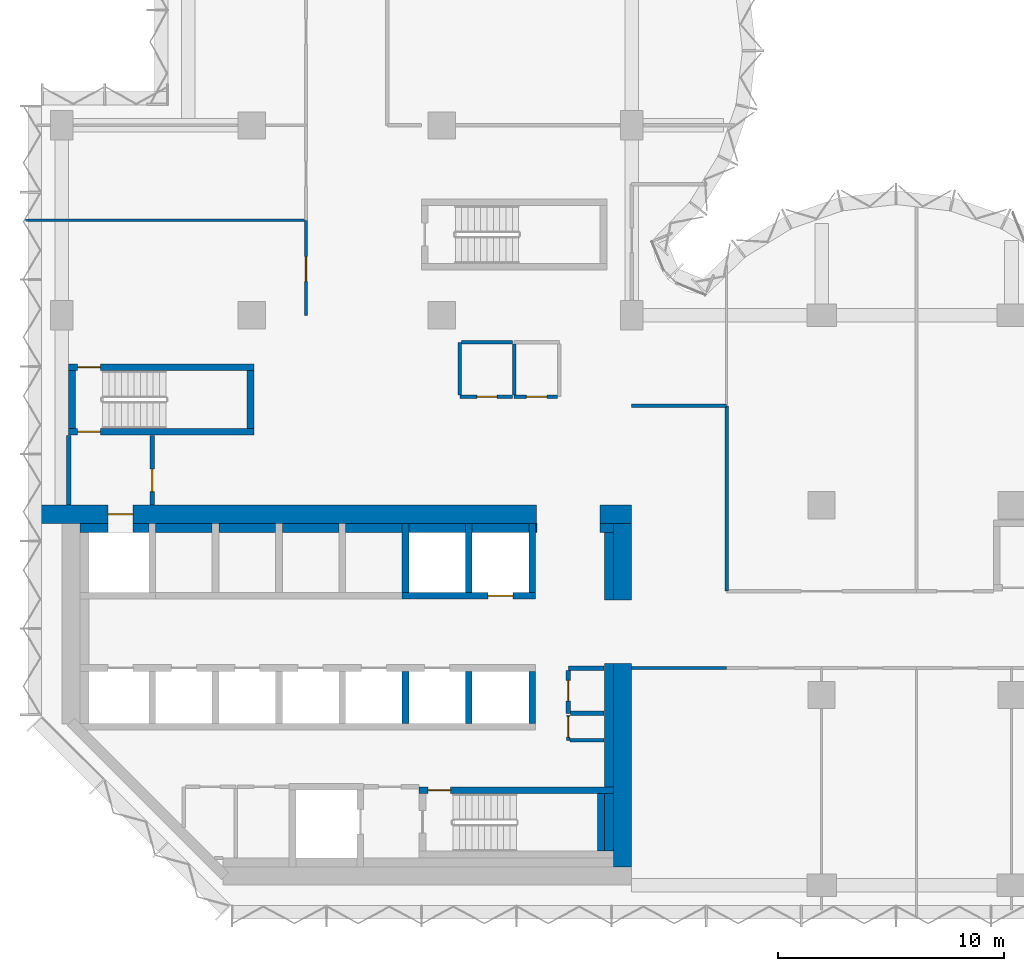
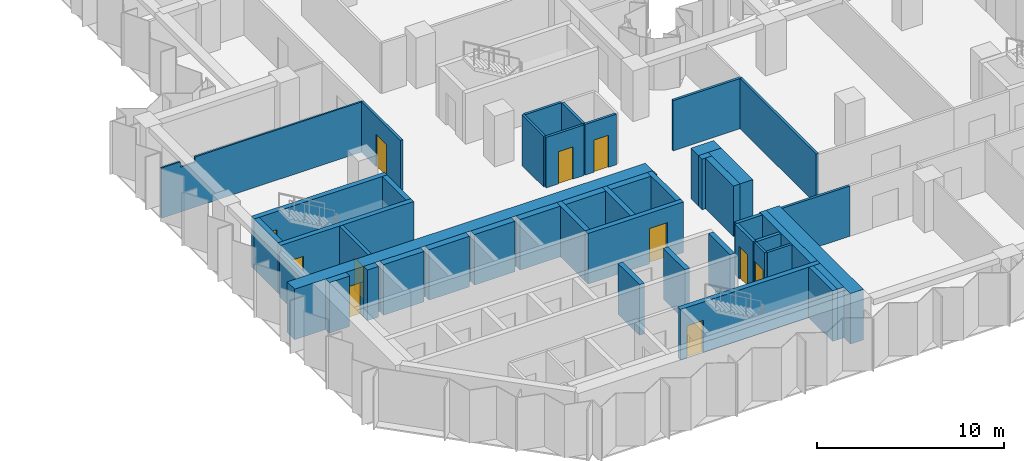
# One storey, part 6 of 11: 47 walls, 11 doors, 11 openings.
"""IFC4 building model written with IfcOpenShell, lengths in metres."""

from ifc_helpers import new_model, si_unit, direction, frame, frame_2d, origin, place, context, subcontext, project, spatial, polyline, rectangle, outline, extrude, material, layer, layer_set, type_object, element, fill, save


model = new_model("IFC4")

# Units and contexts
model_context = context("Model", 3, precision=1e-05, world=origin(), true_north=direction((0.0, 1.0)))
body_context = subcontext(model_context, "Body", "Model", "MODEL_VIEW")
ifc_project = project(units=[si_unit("LENGTHUNIT", "METRE"), si_unit("AREAUNIT", "SQUARE_METRE"), si_unit("VOLUMEUNIT", "CUBIC_METRE"), si_unit("PLANEANGLEUNIT", "RADIAN"), si_unit("MASSUNIT", "GRAM", prefix="KILO")], contexts=[model_context])

# Site, building, storey
site_placement = place(None, origin())
site = spatial("IfcSite", under=ifc_project, at=site_placement, CompositionType="ELEMENT")
building_placement = place(site_placement, origin())
building = spatial("IfcBuilding", under=site, at=building_placement, Name="Brevane Broadcast Tower", CompositionType="ELEMENT")
storey_placement = place(building_placement, frame((0.0, 0.0, 152.89990234375)))
storey = spatial("IfcBuildingStorey", under=building, at=storey_placement, Name="L38", CompositionType="ELEMENT", Elevation=152.89990234375)

# Walls
ifc_material_1 = material(Name="Concrete C32/40", Category="concrete")
ifc_layer_1 = layer(ifc_material_1, 0.39990234375)
ifc_layer_set_1 = layer_set([ifc_layer_1], Name="Core chase wall 400 mm")
wall_type_1 = type_object("IfcWallType", Name="Core chase wall 400 mm", PredefinedType="PARTITIONING", material=ifc_layer_set_1)
wall_1_placement = place(storey_placement, frame((24.199951171875, 12.60009765625, 0.0), z_axis=(0.0, 0.0, 1.0), x_axis=(0.0, 1.0, 0.0)))
element("IfcWall", 1, at=wall_1_placement, inside=storey, type_object=wall_type_1, Name="L38 chase wall LE2", PredefinedType="PARTITIONING", context=body_context, shape_type="SweptSolid", body=[
    extrude(rectangle(XDim=3.0, YDim=0.39990234375, at=frame_2d((1.5, 0.0))), origin(), (0.0, 0.0, 1.0), 3.300048828125),
])
wall_2_placement = place(storey_placement, frame((0.800048828125, 15.800048828125, 0.0), z_axis=(0.0, 0.0, 1.0), x_axis=(1.0, 0.0, 0.0)))
element("IfcWall", 2, at=wall_2_placement, inside=storey, type_object=wall_type_1, Name="L38 chase wall LN0", PredefinedType="PARTITIONING", context=body_context, shape_type="SweptSolid", body=[
    extrude(rectangle(XDim=1.25, YDim=0.39990234375, at=frame_2d((0.625, 0.0))), origin(), (0.0, 0.0, 1.0), 3.300048828125),
])
wall_3_placement = place(storey_placement, frame((23.800048828125, 15.800048828125, 0.0), z_axis=(0.0, 0.0, 1.0), x_axis=(1.0, 0.0, 0.0)))
element("IfcWall", 3, at=wall_3_placement, inside=storey, type_object=wall_type_1, Name="L38 chase wall LN2", PredefinedType="PARTITIONING", context=body_context, shape_type="SweptSolid", body=[
    extrude(rectangle(XDim=0.599853515625, YDim=0.39990234375, at=frame_2d((0.2998046875, 0.0))), origin(), (0.0, 0.0, 1.0), 3.300048828125),
])
wall_4_placement = place(storey_placement, frame((3.14990234375, 15.800048828125, 0.0), z_axis=(0.0, 0.0, 1.0), x_axis=(1.0, 0.0, 0.0)))
element("IfcWall", 4, at=wall_4_placement, inside=storey, type_object=wall_type_1, Name="L38 chase wall LN1-1", PredefinedType="PARTITIONING", context=body_context, shape_type="SweptSolid", body=[
    extrude(rectangle(XDim=0.7001953125, YDim=0.39990234375, at=frame_2d((0.35009765625, 0.0))), origin(), (0.0, 0.0, 1.0), 3.300048828125),
])
for number, where, z_axis, x_axis, name in (
    (5, (15.35009765625, 15.800048828125, 0.0), (0.0, 0.0, 1.0), (1.0, 0.0, 0.0), "L38 chase wall LN1-2-2-1"),
    (6, (18.14990234375, 15.800048828125, 0.0), (0.0, 0.0, 1.0), (1.0, 0.0, 0.0), "L38 chase wall LN1-2-2-2-1"),
):
    element("IfcWall", number, at=place(storey_placement, frame(where, z_axis=z_axis, x_axis=x_axis)), inside=storey, type_object=wall_type_1, Name=name, PredefinedType="PARTITIONING", context=body_context, shape_type="SweptSolid", body=[
        extrude(rectangle(XDim=2.5, YDim=0.39990234375, at=frame_2d((1.25, 0.0))), origin(), (0.0, 0.0, 1.0), 3.300048828125),
    ])
wall_5_placement = place(storey_placement, frame((20.949951171875, 15.800048828125, 0.0), z_axis=(0.0, 0.0, 1.0), x_axis=(1.0, 0.0, 0.0)))
element("IfcWall", 7, at=wall_5_placement, inside=storey, type_object=wall_type_1, Name="L38 chase wall LN1-2-2-2-2", PredefinedType="PARTITIONING", context=body_context, shape_type="SweptSolid", body=[
    extrude(rectangle(XDim=0.050048828125, YDim=0.39990234375, at=frame_2d((0.02490234375, 0.0))), origin(), (0.0, 0.0, 1.0), 3.300048828125),
])
for number, where, z_axis, x_axis, name in (
    (8, (4.14990234375, 15.800048828125, 0.0), (0.0, 0.0, 1.0), (1.0, 0.0, 0.0), "L38 chase wall LN1-2-1-1"),
    (9, (6.949951171875, 15.800048828125, 0.0), (0.0, 0.0, 1.0), (1.0, 0.0, 0.0), "L38 chase wall LN1-2-1-2-1"),
    (10, (9.75, 15.800048828125, 0.0), (0.0, 0.0, 1.0), (1.0, 0.0, 0.0), "L38 chase wall LN1-2-1-2-2-1"),
    (11, (12.550048828125, 15.800048828125, 0.0), (0.0, 0.0, 1.0), (1.0, 0.0, 0.0), "L38 chase wall LN1-2-1-2-2-2"),
):
    element("IfcWall", number, at=place(storey_placement, frame(where, z_axis=z_axis, x_axis=x_axis)), inside=storey, type_object=wall_type_1, Name=name, PredefinedType="PARTITIONING", context=body_context, shape_type="SweptSolid", body=[
        extrude(rectangle(XDim=2.5, YDim=0.39990234375, at=frame_2d((1.25, 0.0))), origin(), (0.0, 0.0, 1.0), 3.300048828125),
    ])
wall_6_placement = place(storey_placement, frame((24.199951171875, 1.5, 0.0), z_axis=(0.0, 0.0, 1.0), x_axis=(0.0, 1.0, 0.0)))
element("IfcWall", 12, at=wall_6_placement, inside=storey, type_object=wall_type_1, Name="L38 chase wall LE1-2-1", PredefinedType="PARTITIONING", context=body_context, shape_type="SweptSolid", body=[
    extrude(rectangle(XDim=2.550048828125, YDim=0.39990234375, at=frame_2d((1.27490234375, 0.0))), origin(), (0.0, 0.0, 1.0), 3.300048828125),
])
wall_7_placement = place(storey_placement, frame((24.199951171875, 4.35009765625, 0.0), z_axis=(0.0, 0.0, 1.0), x_axis=(0.0, 1.0, 0.0)))
element("IfcWall", 13, at=wall_7_placement, inside=storey, type_object=wall_type_1, Name="L38 chase wall LE1-2-2", PredefinedType="PARTITIONING", context=body_context, shape_type="SweptSolid", body=[
    extrude(rectangle(XDim=5.449951171875, YDim=0.39990234375, at=frame_2d((2.72509765625, 0.0))), origin(), (0.0, 0.0, 1.0), 3.300048828125),
])

# Wall, opening, door
ifc_material_2 = material(Name="Gypsum board on steel studs", Category="steel")
ifc_layer_2 = layer(ifc_material_2, 0.14990234375)
ifc_layer_set_2 = layer_set([ifc_layer_2], Name="Core fire partition 150 mm")
wall_type_2 = type_object("IfcWallType", Name="Core fire partition 150 mm", PredefinedType="PARTITIONING", material=ifc_layer_set_2)
wall_8_placement = place(storey_placement, frame((21.925048828125, 21.60009765625, 0.0), z_axis=(0.0, 0.0, 1.0), x_axis=(-1.0, 0.0, 0.0)))
wall_8 = element("IfcWall", 14, at=wall_8_placement, inside=storey, type_object=wall_type_2, Name="L38 partition wall P14", PredefinedType="PARTITIONING", context=body_context, shape_type="SweptSolid", body=[
    extrude(rectangle(XDim=1.925048828125, YDim=0.14990234375, at=frame_2d((0.96240234375, 0.0))), origin(), (0.0, 0.0, 1.0), 3.300048828125),
])
opening_1_placement = place(wall_8_placement, frame((0.47509765625, 0.0, 0.0)))
opening_1 = element("IfcOpeningElement", 15, at=opening_1_placement, cuts=wall_8, Name="Opening L38-K22", PredefinedType="OPENING", context=body_context, shape_type="SweptSolid", body=[
    extrude(rectangle(XDim=0.89990234375, YDim=2.10009765625, at=frame_2d((0.449951171875, 1.050048828125))), frame((0.0, 0.0849609375, 0.0), z_axis=(0.0, -1.0, 0.0), x_axis=(1.0, 0.0, 0.0)), (0.0, 0.0, 1.0), 0.169921875),
])
ifc_material_3 = material(Name="Timber", Category="wood")
door_type_1 = type_object("IfcDoorType", Name="Toilet door 900 x 2100", OperationType="SINGLE_SWING_LEFT", PredefinedType="DOOR", material=ifc_material_3)
door_1_placement = place(opening_1_placement, origin())
door_1 = element("IfcDoor", 16, at=door_1_placement, inside=storey, type_object=door_type_1, Name="Door L38-K22", OperationType="SINGLE_SWING_RIGHT", OverallHeight=2.10009765625, OverallWidth=0.89990234375, PredefinedType="DOOR", context=body_context, shape_type="SweptSolid", body=[
    extrude(rectangle(XDim=0.89990234375, YDim=2.10009765625, at=frame_2d((0.449951171875, 1.050048828125))), frame((0.0, 0.02490234375, 0.0), z_axis=(0.0, -1.0, 0.0), x_axis=(1.0, 0.0, 0.0)), (0.0, 0.0, 1.0), 0.050048828125),
])
fill(opening_1, door_1)

# Wall
wall_9_placement = place(storey_placement, frame((20.0, 21.675048828125, 0.0), z_axis=(0.0, 0.0, 1.0), x_axis=(0.0, 1.0, 0.0)))
element("IfcWall", 17, at=wall_9_placement, inside=storey, type_object=wall_type_2, Name="L38 partition wall P15", PredefinedType="PARTITIONING", context=body_context, shape_type="SweptSolid", body=[
    extrude(rectangle(XDim=2.25, YDim=0.14990234375, at=frame_2d((1.125, 0.0))), origin(), (0.0, 0.0, 1.0), 3.300048828125),
])

# Wall, opening, door
wall_10_placement = place(storey_placement, frame((19.925048828125, 21.60009765625, 0.0), z_axis=(0.0, 0.0, 1.0), x_axis=(-1.0, 0.0, 0.0)))
wall_10 = element("IfcWall", 18, at=wall_10_placement, inside=storey, type_object=wall_type_2, Name="L38 partition wall P16", PredefinedType="PARTITIONING", context=body_context, shape_type="SweptSolid", body=[
    extrude(rectangle(XDim=2.324951171875, YDim=0.14990234375, at=frame_2d((1.16259765625, 0.0))), origin(), (0.0, 0.0, 1.0), 3.300048828125),
])
opening_2_placement = place(wall_10_placement, frame((0.675048828125, 0.0, 0.0)))
opening_2 = element("IfcOpeningElement", 19, at=opening_2_placement, cuts=wall_10, Name="Opening L38-K23", PredefinedType="OPENING", context=body_context, shape_type="SweptSolid", body=[
    extrude(rectangle(XDim=0.89990234375, YDim=2.10009765625, at=frame_2d((0.449951171875, 1.050048828125))), frame((0.0, 0.0849609375, 0.0), z_axis=(0.0, -1.0, 0.0), x_axis=(1.0, 0.0, 0.0)), (0.0, 0.0, 1.0), 0.169921875),
])
ifc_material_4 = material(Name="Steel", Category="steel")
door_type_2 = type_object("IfcDoorType", Name="Service room door 900 x 2100", OperationType="SINGLE_SWING_LEFT", PredefinedType="DOOR", material=ifc_material_4)
door_2_placement = place(opening_2_placement, origin())
door_2 = element("IfcDoor", 20, at=door_2_placement, inside=storey, type_object=door_type_2, Name="Door L38-K23", OperationType="SINGLE_SWING_LEFT", OverallHeight=2.10009765625, OverallWidth=0.89990234375, PredefinedType="DOOR", context=body_context, shape_type="SweptSolid", body=[
    extrude(rectangle(XDim=0.89990234375, YDim=2.10009765625, at=frame_2d((0.449951171875, 1.050048828125))), frame((0.0, 0.02490234375, 0.0), z_axis=(0.0, -1.0, 0.0), x_axis=(1.0, 0.0, 0.0)), (0.0, 0.0, 1.0), 0.050048828125),
])
fill(opening_2, door_2)

# Walls
wall_11_placement = place(storey_placement, frame((17.60009765625, 21.675048828125, 0.0), z_axis=(0.0, 0.0, 1.0), x_axis=(0.0, 1.0, 0.0)))
element("IfcWall", 21, at=wall_11_placement, inside=storey, type_object=wall_type_2, Name="L38 partition wall P17", PredefinedType="PARTITIONING", context=body_context, shape_type="SweptSolid", body=[
    extrude(rectangle(XDim=2.324951171875, YDim=0.14990234375, at=frame_2d((1.16259765625, 0.0))), origin(), (0.0, 0.0, 1.0), 3.300048828125),
])
wall_12_placement = place(storey_placement, frame((17.675048828125, 24.0, 0.0), z_axis=(0.0, 0.0, 1.0), x_axis=(1.0, 0.0, 0.0)))
element("IfcWall", 22, at=wall_12_placement, inside=storey, type_object=wall_type_2, Name="L38 partition wall P18", PredefinedType="PARTITIONING", context=body_context, shape_type="SweptSolid", body=[
    extrude(rectangle(XDim=2.25, YDim=0.14990234375, at=frame_2d((1.125, 0.0))), origin(), (0.0, 0.0, 1.0), 3.300048828125),
])

# Wall, opening, door
wall_13_placement = place(storey_placement, frame((22.39990234375, 7.5, 0.0), z_axis=(0.0, 0.0, 1.0), x_axis=(0.0, -1.0, 0.0)))
wall_13 = element("IfcWall", 23, at=wall_13_placement, inside=storey, type_object=wall_type_2, Name="L38 partition wall P19", PredefinedType="PARTITIONING", context=body_context, shape_type="SweptSolid", body=[
    extrude(rectangle(XDim=1.10009765625, YDim=0.14990234375, at=frame_2d((0.550048828125, 0.0))), origin(), (0.0, 0.0, 1.0), 3.300048828125),
])
opening_3_placement = place(wall_13_placement, frame((0.050048828125, 0.0, 0.0)))
opening_3 = element("IfcOpeningElement", 24, at=opening_3_placement, cuts=wall_13, Name="Opening L38-K19", PredefinedType="OPENING", context=body_context, shape_type="SweptSolid", body=[
    extrude(rectangle(XDim=0.89990234375, YDim=2.10009765625, at=frame_2d((0.449951171875, 1.050048828125))), frame((0.0, 0.0849609375, 0.0), z_axis=(0.0, -1.0, 0.0), x_axis=(1.0, 0.0, 0.0)), (0.0, 0.0, 1.0), 0.169921875),
])
door_3_placement = place(opening_3_placement, origin())
door_3 = element("IfcDoor", 25, at=door_3_placement, inside=storey, type_object=door_type_2, Name="Door L38-K19", OperationType="SINGLE_SWING_LEFT", OverallHeight=2.10009765625, OverallWidth=0.89990234375, PredefinedType="DOOR", context=body_context, shape_type="SweptSolid", body=[
    extrude(rectangle(XDim=0.89990234375, YDim=2.10009765625, at=frame_2d((0.449951171875, 1.050048828125))), frame((0.0, 0.02490234375, 0.0), z_axis=(0.0, -1.0, 0.0), x_axis=(1.0, 0.0, 0.0)), (0.0, 0.0, 1.0), 0.050048828125),
])
fill(opening_3, door_3)

# Walls
wall_14_placement = place(storey_placement, frame((22.47509765625, 6.39990234375, 0.0), z_axis=(0.0, 0.0, 1.0), x_axis=(1.0, 0.0, 0.0)))
element("IfcWall", 26, at=wall_14_placement, inside=storey, type_object=wall_type_2, Name="L38 partition wall P20", PredefinedType="PARTITIONING", context=body_context, shape_type="SweptSolid", body=[
    extrude(rectangle(XDim=1.512939453125, YDim=0.14990234375, at=frame_2d((0.75634765625, 0.0))), origin(), (0.0, 0.0, 1.0), 3.300048828125),
])
ifc_layer_3 = layer(ifc_material_2, 0.199951171875)
ifc_layer_set_3 = layer_set([ifc_layer_3], Name="Core fire partition 200 mm")
wall_type_3 = type_object("IfcWallType", Name="Core fire partition 200 mm", PredefinedType="PARTITIONING", material=ifc_layer_set_3)
wall_15_placement = place(storey_placement, frame((0.300048828125, 16.81201171875, 0.0), z_axis=(0.0, 0.0, 1.0), x_axis=(0.0, 1.0, 0.0)))
element("IfcWall", 27, at=wall_15_placement, inside=storey, type_object=wall_type_3, Name="L38 partition wall P01", PredefinedType="PARTITIONING", context=body_context, shape_type="SweptSolid", body=[
    extrude(rectangle(XDim=3.075927734375, YDim=0.199951171875, at=frame_2d((1.5380859375, 0.0))), origin(), (0.0, 0.0, 1.0), 2.93017578125),
])

# Wall, opening, door
wall_16_placement = place(storey_placement, frame((4.0, 19.887939453125, 0.0), z_axis=(0.0, 0.0, 1.0), x_axis=(0.0, -1.0, 0.0)))
wall_16 = element("IfcWall", 28, at=wall_16_placement, inside=storey, type_object=wall_type_3, Name="L38 partition wall P02", PredefinedType="PARTITIONING", context=body_context, shape_type="SweptSolid", body=[
    extrude(rectangle(XDim=3.075927734375, YDim=0.199951171875, at=frame_2d((1.5380859375, 0.0))), origin(), (0.0, 0.0, 1.0), 3.300048828125),
])
opening_4_placement = place(wall_16_placement, frame((1.488037109375, 0.0, 0.0)))
opening_4 = element("IfcOpeningElement", 29, at=opening_4_placement, cuts=wall_16, Name="Opening L38-K21", PredefinedType="OPENING", context=body_context, shape_type="SweptSolid", body=[
    extrude(rectangle(XDim=1.0, YDim=2.10009765625, at=frame_2d((0.5, 1.050048828125))), frame((0.0, 0.10986328125, 0.0), z_axis=(0.0, -1.0, 0.0), x_axis=(1.0, 0.0, 0.0)), (0.0, 0.0, 1.0), 0.219970703125),
])
door_type_3 = type_object("IfcDoorType", Name="Stair door 1000 x 2100", OperationType="SINGLE_SWING_LEFT", PredefinedType="DOOR", material=ifc_material_4)
door_4_placement = place(opening_4_placement, origin())
door_4 = element("IfcDoor", 30, at=door_4_placement, inside=storey, type_object=door_type_3, Name="Door L38-K21", OperationType="SINGLE_SWING_LEFT", OverallHeight=2.10009765625, OverallWidth=1.0, PredefinedType="DOOR", context=body_context, shape_type="SweptSolid", body=[
    extrude(rectangle(XDim=1.0, YDim=2.10009765625, at=frame_2d((0.5, 1.050048828125))), frame((0.0, 0.02490234375, 0.0), z_axis=(0.0, -1.0, 0.0), x_axis=(1.0, 0.0, 0.0)), (0.0, 0.0, 1.0), 0.050048828125),
])
fill(opening_4, door_4)

# Wall
wall_17_placement = place(storey_placement, frame((23.988037109375, 9.60009765625, 0.0), z_axis=(0.0, 0.0, 1.0), x_axis=(-1.0, 0.0, 0.0)))
element("IfcWall", 31, at=wall_17_placement, inside=storey, type_object=wall_type_3, Name="L38 partition wall P04", PredefinedType="PARTITIONING", context=body_context, shape_type="SweptSolid", body=[
    extrude(rectangle(XDim=1.588134765625, YDim=0.199951171875, at=frame_2d((0.7939453125, 0.0))), origin(), (0.0, 0.0, 1.0), 3.300048828125),
])

# Wall, opening, door
wall_18_placement = place(storey_placement, frame((22.39990234375, 9.5, 0.0), z_axis=(0.0, 0.0, 1.0), x_axis=(0.0, -1.0, 0.0)))
wall_18 = element("IfcWall", 32, at=wall_18_placement, inside=storey, type_object=wall_type_3, Name="L38 partition wall P05", PredefinedType="PARTITIONING", context=body_context, shape_type="SweptSolid", body=[
    extrude(rectangle(XDim=1.89990234375, YDim=0.199951171875, at=frame_2d((0.949951171875, 0.0))), origin(), (0.0, 0.0, 1.0), 3.300048828125),
])
opening_5_placement = place(wall_18_placement, frame((0.449951171875, 0.0, 0.0)))
opening_5 = element("IfcOpeningElement", 33, at=opening_5_placement, cuts=wall_18, Name="Opening L38-K20", PredefinedType="OPENING", context=body_context, shape_type="SweptSolid", body=[
    extrude(rectangle(XDim=0.89990234375, YDim=2.10009765625, at=frame_2d((0.449951171875, 1.050048828125))), frame((0.0, 0.10986328125, 0.0), z_axis=(0.0, -1.0, 0.0), x_axis=(1.0, 0.0, 0.0)), (0.0, 0.0, 1.0), 0.219970703125),
])
door_5_placement = place(opening_5_placement, origin())
door_5 = element("IfcDoor", 34, at=door_5_placement, inside=storey, type_object=door_type_2, Name="Door L38-K20", OperationType="SINGLE_SWING_RIGHT", OverallHeight=2.10009765625, OverallWidth=0.89990234375, PredefinedType="DOOR", context=body_context, shape_type="SweptSolid", body=[
    extrude(rectangle(XDim=0.89990234375, YDim=2.10009765625, at=frame_2d((0.449951171875, 1.050048828125))), frame((0.0, 0.02490234375, 0.0), z_axis=(0.0, -1.0, 0.0), x_axis=(1.0, 0.0, 0.0)), (0.0, 0.0, 1.0), 0.050048828125),
])
fill(opening_5, door_5)

# Walls
wall_19_placement = place(storey_placement, frame((22.5, 7.60009765625, 0.0), z_axis=(0.0, 0.0, 1.0), x_axis=(1.0, 0.0, 0.0)))
element("IfcWall", 35, at=wall_19_placement, inside=storey, type_object=wall_type_3, Name="L38 partition wall P06", PredefinedType="PARTITIONING", context=body_context, shape_type="SweptSolid", body=[
    extrude(rectangle(XDim=1.488037109375, YDim=0.199951171875, at=frame_2d((0.744140625, 0.0))), origin(), (0.0, 0.0, 1.0), 3.300048828125),
])
ifc_material_5 = material(Name="Concrete C60/75", Category="concrete")
ifc_layer_4 = layer(ifc_material_5, 0.300048828125)
ifc_layer_set_4 = layer_set([ifc_layer_4], Name="Core wall 300 mm C60/75")
wall_type_4 = type_object("IfcWallType", Name="Core wall 300 mm C60/75", PredefinedType="SHEAR", material=ifc_layer_set_4)
for number, where, z_axis, x_axis, name in (
    (36, (15.199951171875, 7.14990234375, 0.0), (0.0, 0.0, 1.0), (0.0, 1.0, 0.0), "L38 shaft wall SH-S-P152"),
    (37, (18.0, 7.14990234375, 0.0), (0.0, 0.0, 1.0), (0.0, 1.0, 0.0), "L38 shaft wall SH-S-P180"),
    (38, (20.800048828125, 7.14990234375, 0.0), (0.0, 0.0, 1.0), (0.0, 1.0, 0.0), "L38 shaft wall SH-S-P208"),
):
    element("IfcWall", number, at=place(storey_placement, frame(where, z_axis=z_axis, x_axis=x_axis)), inside=storey, type_object=wall_type_4, Name=name, PredefinedType="SHEAR", context=body_context, shape_type="SweptSolid", body=[
        extrude(rectangle(XDim=2.300048828125, YDim=0.300048828125, at=frame_2d((1.14990234375, 0.0))), origin(), (0.0, 0.0, 1.0), 3.300048828125),
    ])

# Wall, opening, door
wall_20_placement = place(storey_placement, frame((15.050048828125, 12.800048828125, 0.0), z_axis=(0.0, 0.0, 1.0), x_axis=(1.0, 0.0, 0.0)))
wall_20 = element("IfcWall", 39, at=wall_20_placement, inside=storey, type_object=wall_type_4, Name="L38 shaft wall SH-N152-front", PredefinedType="SHEAR", context=body_context, shape_type="SweptSolid", body=[
    extrude(rectangle(XDim=5.89990234375, YDim=0.300048828125, at=frame_2d((2.949951171875, 0.0))), origin(), (0.0, 0.0, 1.0), 3.300048828125),
])
opening_6_placement = place(wall_20_placement, frame((3.800048828125, 0.0, 0.0)))
opening_6 = element("IfcOpeningElement", 40, at=opening_6_placement, cuts=wall_20, Name="Opening LD", PredefinedType="OPENING", context=body_context, shape_type="SweptSolid", body=[
    extrude(rectangle(XDim=1.10009765625, YDim=2.300048828125, at=frame_2d((0.550048828125, 1.14990234375))), frame((0.0, 0.159912109375, 0.0), z_axis=(0.0, -1.0, 0.0), x_axis=(1.0, 0.0, 0.0)), (0.0, 0.0, 1.0), 0.320068359375),
])
ifc_material_6 = material(Name="Stainless steel", Category="steel")
door_type_4 = type_object("IfcDoorType", Name="Lift landing door", OperationType="SLIDING_TO_LEFT", PredefinedType="DOOR", material=ifc_material_6)
door_6_placement = place(opening_6_placement, origin())
door_6 = element("IfcDoor", 41, at=door_6_placement, inside=storey, type_object=door_type_4, Name="Landing door SL1 L38", OperationType="SLIDING_TO_LEFT", OverallHeight=2.300048828125, OverallWidth=1.10009765625, PredefinedType="DOOR", context=body_context, shape_type="SweptSolid", body=[
    extrude(rectangle(XDim=1.10009765625, YDim=2.300048828125, at=frame_2d((0.550048828125, 1.14990234375))), frame((0.0, 0.02490234375, 0.0), z_axis=(0.0, -1.0, 0.0), x_axis=(1.0, 0.0, 0.0)), (0.0, 0.0, 1.0), 0.050048828125),
])
fill(opening_6, door_6)

# Walls
for number, where, z_axis, x_axis, name in (
    (42, (15.199951171875, 12.949951171875, 0.0), (0.0, 0.0, 1.0), (0.0, 1.0, 0.0), "L38 shaft wall SH-N-P152"),
    (43, (18.0, 12.949951171875, 0.0), (0.0, 0.0, 1.0), (0.0, 1.0, 0.0), "L38 shaft wall SH-N-P180"),
    (44, (20.800048828125, 12.949951171875, 0.0), (0.0, 0.0, 1.0), (0.0, 1.0, 0.0), "L38 shaft wall SH-N-P208"),
):
    element("IfcWall", number, at=place(storey_placement, frame(where, z_axis=z_axis, x_axis=x_axis)), inside=storey, type_object=wall_type_4, Name=name, PredefinedType="SHEAR", context=body_context, shape_type="SweptSolid", body=[
        extrude(rectangle(XDim=3.050048828125, YDim=0.300048828125, at=frame_2d((1.52490234375, 0.0))), origin(), (0.0, 0.0, 1.0), 3.300048828125),
    ])

# Wall, opening, door
wall_21_placement = place(storey_placement, frame((8.5, 20.050048828125, 0.0), z_axis=(0.0, 0.0, 1.0), x_axis=(-1.0, 0.0, 0.0)))
wall_21 = element("IfcWall", 45, at=wall_21_placement, inside=storey, type_object=wall_type_4, Name="L38 stair wall ST-1-S", PredefinedType="SHEAR", context=body_context, shape_type="SweptSolid", body=[
    extrude(rectangle(XDim=8.199951171875, YDim=0.300048828125, at=frame_2d((4.10009765625, 0.0))), origin(), (0.0, 0.0, 1.0), 3.300048828125),
])
opening_7_placement = place(wall_21_placement, frame((6.800048828125, 0.0, 0.0)))
opening_7 = element("IfcOpeningElement", 46, at=opening_7_placement, cuts=wall_21, Name="Opening L38-K10", PredefinedType="OPENING", context=body_context, shape_type="SweptSolid", body=[
    extrude(rectangle(XDim=1.0, YDim=2.10009765625, at=frame_2d((0.5, 1.050048828125))), frame((0.0, 0.159912109375, 0.0), z_axis=(0.0, -1.0, 0.0), x_axis=(1.0, 0.0, 0.0)), (0.0, 0.0, 1.0), 0.320068359375),
])
door_7_placement = place(opening_7_placement, origin())
door_7 = element("IfcDoor", 47, at=door_7_placement, inside=storey, type_object=door_type_3, Name="Door L38-K10", OperationType="SINGLE_SWING_RIGHT", OverallHeight=2.10009765625, OverallWidth=1.0, PredefinedType="DOOR", context=body_context, shape_type="SweptSolid", body=[
    extrude(rectangle(XDim=1.0, YDim=2.10009765625, at=frame_2d((0.5, 1.050048828125))), frame((0.0, 0.02490234375, 0.0), z_axis=(0.0, -1.0, 0.0), x_axis=(1.0, 0.0, 0.0)), (0.0, 0.0, 1.0), 0.050048828125),
])
fill(opening_7, door_7)

wall_22_placement = place(storey_placement, frame((0.300048828125, 22.89990234375, 0.0), z_axis=(0.0, 0.0, 1.0), x_axis=(1.0, 0.0, 0.0)))
wall_22 = element("IfcWall", 48, at=wall_22_placement, inside=storey, type_object=wall_type_4, Name="L38 stair wall ST-1-N", PredefinedType="SHEAR", context=body_context, shape_type="SweptSolid", body=[
    extrude(rectangle(XDim=8.199951171875, YDim=0.300048828125, at=frame_2d((4.10009765625, 0.0))), origin(), (0.0, 0.0, 1.0), 3.300048828125),
])
opening_8_placement = place(wall_22_placement, frame((0.39990234375, 0.0, 0.0)))
opening_8 = element("IfcOpeningElement", 49, at=opening_8_placement, cuts=wall_22, Name="Opening L38-K11", PredefinedType="OPENING", context=body_context, shape_type="SweptSolid", body=[
    extrude(rectangle(XDim=1.0, YDim=2.10009765625, at=frame_2d((0.5, 1.050048828125))), frame((0.0, 0.159912109375, 0.0), z_axis=(0.0, -1.0, 0.0), x_axis=(1.0, 0.0, 0.0)), (0.0, 0.0, 1.0), 0.320068359375),
])
door_8_placement = place(opening_8_placement, origin())
door_8 = element("IfcDoor", 50, at=door_8_placement, inside=storey, type_object=door_type_3, Name="Door L38-K11", OperationType="SINGLE_SWING_LEFT", OverallHeight=2.10009765625, OverallWidth=1.0, PredefinedType="DOOR", context=body_context, shape_type="SweptSolid", body=[
    extrude(rectangle(XDim=1.0, YDim=2.10009765625, at=frame_2d((0.5, 1.050048828125))), frame((0.0, 0.02490234375, 0.0), z_axis=(0.0, -1.0, 0.0), x_axis=(1.0, 0.0, 0.0)), (0.0, 0.0, 1.0), 0.050048828125),
])
fill(opening_8, door_8)

# Walls
for number, where, z_axis, x_axis, name in (
    (51, (0.449951171875, 20.199951171875, 0.0), (0.0, 0.0, 1.0), (0.0, 1.0, 0.0), "L38 stair wall ST-1-W"),
    (52, (8.35009765625, 20.199951171875, 0.0), (0.0, 0.0, 1.0), (0.0, 1.0, 0.0), "L38 stair wall ST-1-E"),
):
    element("IfcWall", number, at=place(storey_placement, frame(where, z_axis=z_axis, x_axis=x_axis)), inside=storey, type_object=wall_type_4, Name=name, PredefinedType="SHEAR", context=body_context, shape_type="SweptSolid", body=[
        extrude(rectangle(XDim=2.550048828125, YDim=0.300048828125, at=frame_2d((1.27490234375, 0.0))), origin(), (0.0, 0.0, 1.0), 3.300048828125),
    ])

# Wall, opening, door
wall_23_placement = place(storey_placement, frame((15.800048828125, 4.199951171875, 0.0), z_axis=(0.0, 0.0, 1.0), x_axis=(1.0, 0.0, 0.0)))
wall_23 = element("IfcWall", 53, at=wall_23_placement, inside=storey, type_object=wall_type_4, Name="L38 stair wall ST-2-N", PredefinedType="SHEAR", context=body_context, shape_type="SweptSolid", body=[
    extrude(rectangle(XDim=8.599853515625, YDim=0.300048828125, at=frame_2d((4.2998046875, 0.0))), origin(), (0.0, 0.0, 1.0), 3.300048828125),
])
opening_9_placement = place(wall_23_placement, frame((0.39990234375, 0.0, 0.0)))
opening_9 = element("IfcOpeningElement", 54, at=opening_9_placement, cuts=wall_23, Name="Opening L38-K13", PredefinedType="OPENING", context=body_context, shape_type="SweptSolid", body=[
    extrude(rectangle(XDim=1.0, YDim=2.10009765625, at=frame_2d((0.5, 1.050048828125))), frame((0.0, 0.159912109375, 0.0), z_axis=(0.0, -1.0, 0.0), x_axis=(1.0, 0.0, 0.0)), (0.0, 0.0, 1.0), 0.320068359375),
])
door_9_placement = place(opening_9_placement, origin())
door_9 = element("IfcDoor", 55, at=door_9_placement, inside=storey, type_object=door_type_3, Name="Door L38-K13", OperationType="SINGLE_SWING_LEFT", OverallHeight=2.10009765625, OverallWidth=1.0, PredefinedType="DOOR", context=body_context, shape_type="SweptSolid", body=[
    extrude(rectangle(XDim=1.0, YDim=2.10009765625, at=frame_2d((0.5, 1.050048828125))), frame((0.0, 0.02490234375, 0.0), z_axis=(0.0, -1.0, 0.0), x_axis=(1.0, 0.0, 0.0)), (0.0, 0.0, 1.0), 0.050048828125),
])
fill(opening_9, door_9)

# Wall
wall_24_placement = place(storey_placement, frame((23.85009765625, 1.5, 0.0), z_axis=(0.0, 0.0, 1.0), x_axis=(0.0, 1.0, 0.0)))
element("IfcWall", 56, at=wall_24_placement, inside=storey, type_object=wall_type_4, Name="L38 stair wall ST-2-E", PredefinedType="SHEAR", context=body_context, shape_type="SweptSolid", body=[
    extrude(rectangle(XDim=2.550048828125, YDim=0.300048828125, at=frame_2d((1.27490234375, 0.0))), origin(), (0.0, 0.0, 1.0), 3.300048828125),
])

# Wall, opening, door
ifc_layer_5 = layer(ifc_material_5, 0.800048828125)
ifc_layer_set_5 = layer_set([ifc_layer_5], Name="Core wall 800 mm C60/75")
wall_type_5 = type_object("IfcWallType", Name="Core wall 800 mm C60/75", PredefinedType="SHEAR", material=ifc_layer_set_5)
wall_25_placement = place(storey_placement, frame((-1.10009765625, 16.39990234375, 0.0), z_axis=(0.0, 0.0, 1.0), x_axis=(1.0, 0.0, 0.0)))
wall_25 = element("IfcWall", 57, at=wall_25_placement, inside=storey, type_object=wall_type_5, Name="L38 outer wall WN1", PredefinedType="SHEAR", context=body_context, shape_type="SweptSolid", body=[
    extrude(rectangle(XDim=22.10009765625, YDim=0.800048828125, at=frame_2d((11.050048828125, 0.0))), origin(), (0.0, 0.0, 1.0), 3.300048828125),
])
opening_10_placement = place(wall_25_placement, frame((3.14990234375, 0.0, 0.0)))
opening_10 = element("IfcOpeningElement", 58, at=opening_10_placement, cuts=wall_25, Name="Opening LD", PredefinedType="OPENING", context=body_context, shape_type="SweptSolid", body=[
    extrude(rectangle(XDim=1.10009765625, YDim=2.300048828125, at=frame_2d((0.550048828125, 1.14990234375))), frame((0.0, 0.409912109375, 0.0), z_axis=(0.0, -1.0, 0.0), x_axis=(1.0, 0.0, 0.0)), (0.0, 0.0, 1.0), 0.820068359375),
])
door_10_placement = place(opening_10_placement, origin())
door_10 = element("IfcDoor", 59, at=door_10_placement, inside=storey, type_object=door_type_4, Name="Landing door FF1 L38", OperationType="SLIDING_TO_LEFT", OverallHeight=2.300048828125, OverallWidth=1.10009765625, PredefinedType="DOOR", context=body_context, shape_type="SweptSolid", body=[
    extrude(rectangle(XDim=1.10009765625, YDim=2.300048828125, at=frame_2d((0.550048828125, 1.14990234375))), frame((0.0, 0.02490234375, 0.0), z_axis=(0.0, -1.0, 0.0), x_axis=(1.0, 0.0, 0.0)), (0.0, 0.0, 1.0), 0.050048828125),
])
fill(opening_10, door_10)

# Walls
wall_26_placement = place(storey_placement, frame((23.800048828125, 16.39990234375, 0.0), z_axis=(0.0, 0.0, 1.0), x_axis=(1.0, 0.0, 0.0)))
element("IfcWall", 60, at=wall_26_placement, inside=storey, type_object=wall_type_5, Name="L38 outer wall WN2", PredefinedType="SHEAR", context=body_context, shape_type="SweptSolid", body=[
    extrude(rectangle(XDim=1.39990234375, YDim=0.800048828125, at=frame_2d((0.699951171875, 0.0))), origin(), (0.0, 0.0, 1.0), 3.300048828125),
])
wall_27_placement = place(storey_placement, frame((24.800048828125, 0.800048828125, 0.0), z_axis=(0.0, 0.0, 1.0), x_axis=(0.0, 1.0, 0.0)))
element("IfcWall", 61, at=wall_27_placement, inside=storey, type_object=wall_type_5, Name="L38 outer wall WE1", PredefinedType="SHEAR", context=body_context, shape_type="SweptSolid", body=[
    extrude(rectangle(XDim=9.0, YDim=0.800048828125, at=frame_2d((4.5, 0.0))), origin(), (0.0, 0.0, 1.0), 3.300048828125),
])
wall_28_placement = place(storey_placement, frame((24.800048828125, 12.60009765625, 0.0), z_axis=(0.0, 0.0, 1.0), x_axis=(0.0, 1.0, 0.0)))
element("IfcWall", 62, at=wall_28_placement, inside=storey, type_object=wall_type_5, Name="L38 outer wall WE2", PredefinedType="SHEAR", context=body_context, shape_type="SweptSolid", body=[
    extrude(rectangle(XDim=3.39990234375, YDim=0.800048828125, at=frame_2d((1.699951171875, 0.0))), origin(), (0.0, 0.0, 1.0), 3.300048828125),
])
ifc_material_7 = material(Name="Gypsum board partition")
ifc_layer_6 = layer(ifc_material_7, 0.10009765625)
ifc_layer_set_6 = layer_set([ifc_layer_6], Name="PARTITION 100 STUD")
wall_type_6 = type_object("IfcWallType", Name="PARTITION 100 STUD", PredefinedType="PARTITIONING", material=ifc_layer_set_6)
wall_29_placement = place(storey_placement, frame((-1.609130859375, 29.39990234375, 0.0), z_axis=(0.0, 0.0, 1.0), x_axis=(1.0, 0.0, 0.0)))
element("IfcWall", 63, at=wall_29_placement, inside=storey, type_object=wall_type_6, Name="Partition G11-055", PredefinedType="PARTITIONING", context=body_context, shape_type="SweptSolid", body=[
    extrude(outline(polyline([(0.0, 0.0), (12.4091796875, 0.0), (12.4091796875, 3.280029296875), (2.05908203125, 3.280029296875), (2.05712890625, 2.93017578125), (1.1611328125, 2.93017578125), (1.1591796875, 3.280029296875), (0.509033203125, 3.280029296875), (0.0, 3.280029296875), (0.0, 0.0)])), frame((0.0, 0.050048828125, 0.0), z_axis=(0.0, -1.0, 0.0), x_axis=(1.0, 0.0, 0.0)), (0.0, 0.0, 1.0), 0.10009765625),
])
ifc_layer_7 = layer(ifc_material_7, 0.14990234375)
ifc_layer_set_7 = layer_set([ifc_layer_7], Name="PARTITION 150 EI 60")
wall_type_7 = type_object("IfcWallType", Name="PARTITION 150 EI 60", PredefinedType="PARTITIONING", material=ifc_layer_set_7)
for number, where, z_axis, x_axis, name in (
    (64, (25.199951171875, 21.199951171875, 0.0), (0.0, 0.0, 1.0), (1.0, 0.0, 0.0), "Partition G11-001"),
    (65, (29.39990234375, 9.60009765625, 0.0), (0.0, 0.0, 1.0), (-1.0, 0.0, 0.0), "Partition G11-002"),
):
    element("IfcWall", number, at=place(storey_placement, frame(where, z_axis=z_axis, x_axis=x_axis)), inside=storey, type_object=wall_type_7, Name=name, PredefinedType="PARTITIONING", context=body_context, shape_type="SweptSolid", body=[
        extrude(rectangle(XDim=4.199951171875, YDim=0.14990234375, at=frame_2d((2.10009765625, 0.0))), origin(), (0.0, 0.0, 1.0), 3.280029296875),
    ])
wall_30_placement = place(storey_placement, frame((29.39990234375, 21.199951171875, 0.0), z_axis=(0.0, 0.0, 1.0), x_axis=(0.0, -1.0, 0.0)))
element("IfcWall", 66, at=wall_30_placement, inside=storey, type_object=wall_type_7, Name="Partition G11-003", PredefinedType="PARTITIONING", context=body_context, shape_type="SweptSolid", body=[
    extrude(rectangle(XDim=8.199951171875, YDim=0.14990234375, at=frame_2d((4.10009765625, 0.0))), origin(), (0.0, 0.0, 1.0), 3.280029296875),
])

# Wall, opening, door
wall_31_placement = place(storey_placement, frame((10.800048828125, 25.199951171875, 0.0), z_axis=(0.0, 0.0, 1.0), x_axis=(0.0, 1.0, 0.0)))
wall_31 = element("IfcWall", 67, at=wall_31_placement, inside=storey, type_object=wall_type_7, Name="Partition G11-038", PredefinedType="PARTITIONING", context=body_context, shape_type="SweptSolid", body=[
    extrude(rectangle(XDim=4.199951171875, YDim=0.14990234375, at=frame_2d((2.10009765625, 0.0))), origin(), (0.0, 0.0, 1.0), 3.280029296875),
])
opening_11_placement = place(wall_31_placement, frame((1.5, 0.0, 0.0)))
opening_11 = element("IfcOpeningElement", 68, at=opening_11_placement, cuts=wall_31, Name="Opening D18-015", PredefinedType="OPENING", context=body_context, shape_type="SweptSolid", body=[
    extrude(rectangle(XDim=1.10009765625, YDim=2.10009765625, at=frame_2d((0.550048828125, 1.050048828125))), frame((0.0, 0.0849609375, 0.0), z_axis=(0.0, -1.0, 0.0), x_axis=(1.0, 0.0, 0.0)), (0.0, 0.0, 1.0), 0.169921875),
])
ifc_material_8 = material(Name="Fire-rated timber door leaf", Category="wood")
door_type_5 = type_object("IfcDoorType", Name="DOOR SINGLE 1100 FD30S", OperationType="SINGLE_SWING_LEFT", PredefinedType="DOOR", material=ifc_material_8)
door_11_placement = place(opening_11_placement, origin())
door_11 = element("IfcDoor", 69, at=door_11_placement, inside=storey, type_object=door_type_5, Name="Door D18-015", OperationType="SINGLE_SWING_LEFT", OverallHeight=2.10009765625, OverallWidth=1.10009765625, PredefinedType="DOOR", context=body_context, shape_type="SweptSolid", body=[
    extrude(rectangle(XDim=1.10009765625, YDim=2.10009765625, at=frame_2d((0.550048828125, 1.050048828125))), frame((0.0, 0.02490234375, 0.0), z_axis=(0.0, -1.0, 0.0), x_axis=(1.0, 0.0, 0.0)), (0.0, 0.0, 1.0), 0.050048828125),
])
fill(opening_11, door_11)

save(model, "model.ifc")
